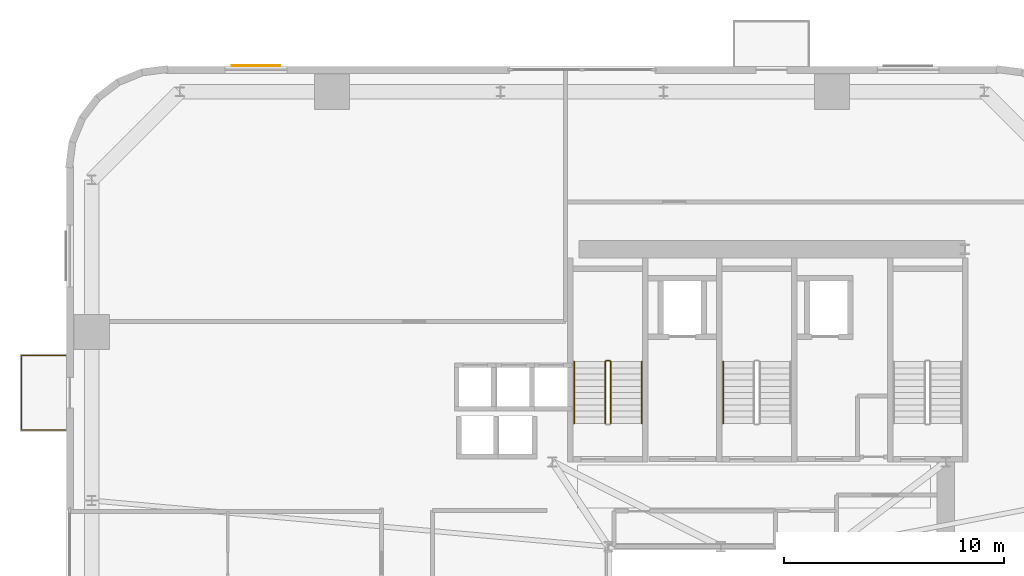
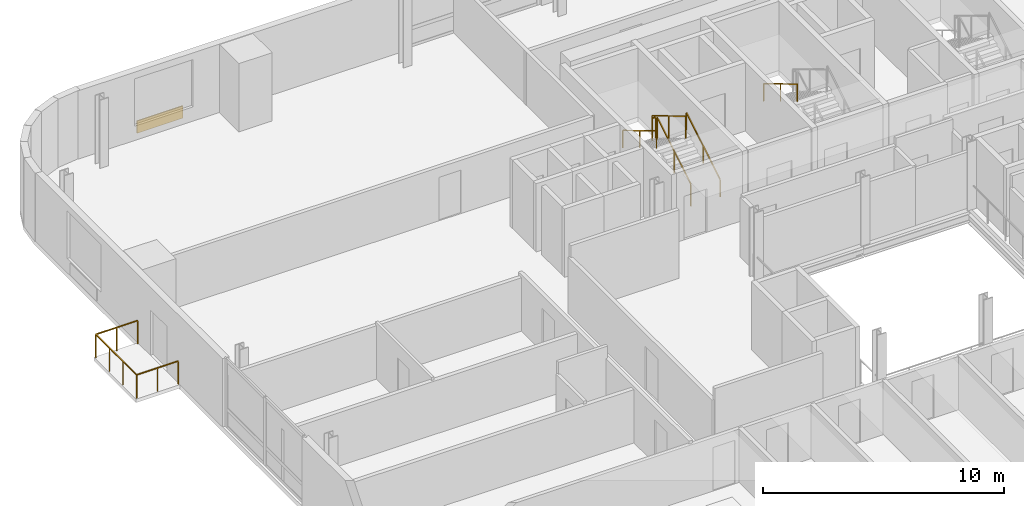
# One storey, part 13 of 14: 7 railings, 1 covering.
"""IFC4 building model written with IfcOpenShell, lengths in metres."""

from ifc_helpers import new_model, si_unit, direction, frame, origin, origin_2d, place, context, subcontext, project, spatial, rectangle, extrude, source, transform, mapped, material, layer, layer_set, type_object, element, save


model = new_model("IFC4")

# Units and contexts
model_context = context("Model", 3, precision=1e-05, world=origin(), true_north=direction((0.0, 1.0)))
body_context = subcontext(model_context, "Body", "Model", "MODEL_VIEW")
ifc_project = project(units=[si_unit("LENGTHUNIT", "METRE"), si_unit("AREAUNIT", "SQUARE_METRE"), si_unit("VOLUMEUNIT", "CUBIC_METRE"), si_unit("PLANEANGLEUNIT", "RADIAN"), si_unit("MASSUNIT", "GRAM", prefix="KILO")], contexts=[model_context])

# Site, building, storey
site_placement = place(None, origin())
site = spatial("IfcSite", under=ifc_project, at=site_placement, CompositionType="ELEMENT")
building_placement = place(site_placement, origin())
building = spatial("IfcBuilding", under=site, at=building_placement, Name="Vardaveli Station Tower", CompositionType="ELEMENT")
storey_placement = place(building_placement, frame((0.0, 0.0, 140.89990234375)))
storey = spatial("IfcBuildingStorey", under=building, at=storey_placement, Name="L36", CompositionType="ELEMENT", Elevation=140.89990234375)

# Covering
ifc_material_1 = material(Name="Ventilated honed travertine stone cladding", Category="masonry")
ifc_layer = layer(ifc_material_1, 0.044921875, Name="Ventilated honed travertine stone cladding")
ifc_layer_set = layer_set([ifc_layer], Name="Ventilated honed travertine stone cladding")
covering_type = type_object("IfcCoveringType", Name="COV-CLAD-TR45", PredefinedType="CLADDING", material=ifc_layer_set)
shared_shape_1 = source(origin(), body_context, "Body", "SweptSolid", [
    extrude(rectangle(XDim=2.199951171875, YDim=0.044921875, at=origin_2d()), origin(), (0.0, 0.0, 1.0), 0.6201171875),
])
covering_placement = place(storey_placement, frame((15.205078125, 48.614501953125, 0.070068359375), z_axis=(0.0, 0.0, 1.0), x_axis=(1.0, 0.0, 0.0)))
element("IfcCovering", 1, at=covering_placement, inside=storey, type_object=covering_type, Name="CLD-TR-L36-N", PredefinedType="CLADDING", context=body_context, shape_type="MappedRepresentation", body=[
    mapped(shared_shape_1, transform((0.0, 0.0, 0.0), scale=1.0)),
])

# Railings
ifc_material_2 = material(Name="Laminated glass and stainless steel balustrade", Category="steel")
railing_type_1 = type_object("IfcRailingType", Name="RL-BAL-1200", PredefinedType="BALUSTRADE", material=ifc_material_2)
shared_shape_2 = source(origin(), body_context, "Body", "SweptSolid", [
    extrude(rectangle(XDim=0.048095703125, YDim=0.048095703125, at=origin_2d()), frame((0.0, 0.0, 1.17578125), z_axis=(-1.0, 0.0, 0.0), x_axis=(0.0, -1.0, 0.0)), (0.0, 0.0, 1.0), 2.0),
    extrude(rectangle(XDim=0.048095703125, YDim=0.048095703125, at=origin_2d()), frame((-2.0, 0.0, 1.17578125), z_axis=(0.0, 1.0, 0.0), x_axis=(-1.0, 0.0, 0.0)), (0.0, 0.0, 1.0), 3.3798828125),
    extrude(rectangle(XDim=0.048095703125, YDim=0.048095703125, at=origin_2d()), frame((-2.0, 3.3798828125, 1.17578125), z_axis=(1.0, 0.0, 0.0), x_axis=(0.0, 1.0, 0.0)), (0.0, 0.0, 1.0), 2.0),
    extrude(rectangle(XDim=0.0419921875, YDim=0.0419921875, at=origin_2d()), origin(), (0.0, 0.0, 1.0), 1.15185546875),
    extrude(rectangle(XDim=0.0419921875, YDim=0.0419921875, at=origin_2d()), frame((-1.0, 0.0, 0.0)), (0.0, 0.0, 1.0), 1.15185546875),
    extrude(rectangle(XDim=0.0419921875, YDim=0.0419921875, at=origin_2d()), frame((-2.0, 0.0, 0.0)), (0.0, 0.0, 1.0), 1.15185546875),
    extrude(rectangle(XDim=0.0419921875, YDim=0.0419921875, at=origin_2d()), frame((-2.0, 1.126708984375, 0.0)), (0.0, 0.0, 1.0), 1.15185546875),
    extrude(rectangle(XDim=0.0419921875, YDim=0.0419921875, at=origin_2d()), frame((-2.0, 2.253173828125, 0.0)), (0.0, 0.0, 1.0), 1.15185546875),
    extrude(rectangle(XDim=0.0419921875, YDim=0.0419921875, at=origin_2d()), frame((-2.0, 3.3798828125, 0.0)), (0.0, 0.0, 1.0), 1.15185546875),
    extrude(rectangle(XDim=0.0419921875, YDim=0.0419921875, at=origin_2d()), frame((-1.0, 3.3798828125, 0.0)), (0.0, 0.0, 1.0), 1.15185546875),
    extrude(rectangle(XDim=0.0419921875, YDim=0.0419921875, at=origin_2d()), frame((0.0, 3.3798828125, 0.0)), (0.0, 0.0, 1.0), 1.15185546875),
])
railing_1_placement = place(storey_placement, frame((6.56005859375, 32.099609375, 0.0)))
element("IfcRailing", 2, at=railing_1_placement, inside=storey, type_object=railing_type_1, Name="RL-LOG-L36-03", PredefinedType="BALUSTRADE", context=body_context, shape_type="MappedRepresentation", body=[
    mapped(shared_shape_2, transform((0.0, 0.0, 0.0), scale=1.0)),
])
ifc_material_3 = material(Name="Brushed AISI 316 stainless steel", Category="steel")
railing_type_2 = type_object("IfcRailingType", Name="RL-GUARD-1150", PredefinedType="GUARDRAIL", material=ifc_material_3)
shared_shape_3 = source(origin(), body_context, "Body", "SweptSolid", [
    extrude(rectangle(XDim=0.048095703125, YDim=0.048095703125, at=origin_2d()), frame((0.0, 0.0, 1.1259765625), z_axis=(-1.0, 0.0, 0.0), x_axis=(0.0, -1.0, 0.0)), (0.0, 0.0, 1.0), 0.14990234375),
    extrude(rectangle(XDim=0.0419921875, YDim=0.0419921875, at=origin_2d()), origin(), (0.0, 0.0, 1.0), 1.101806640625),
    extrude(rectangle(XDim=0.0419921875, YDim=0.0419921875, at=origin_2d()), frame((-0.14990234375, 0.0, 0.0)), (0.0, 0.0, 1.0), 1.101806640625),
])
railing_2_placement = place(storey_placement, frame((31.25, 35.25, 1.85009765625)))
element("IfcRailing", 3, at=railing_2_placement, inside=storey, type_object=railing_type_2, Name="L36 ST-1 stair guard 2", PredefinedType="GUARDRAIL", context=body_context, shape_type="MappedRepresentation", body=[
    mapped(shared_shape_3, transform((0.0, 0.0, 0.0), scale=1.0)),
])
shared_shape_4 = source(origin(), body_context, "Body", "SweptSolid", [
    extrude(rectangle(XDim=0.048095703125, YDim=0.048095703125, at=origin_2d()), frame((0.0, 0.0, 1.1259765625), z_axis=(0.0, -0.857242210791, 0.514913383045), x_axis=(1.0, 0.0, 0.0)), (0.0, 0.0, 1.0), 3.266357421875),
    extrude(rectangle(XDim=0.0419921875, YDim=0.0419921875, at=origin_2d()), origin(), (0.0, 0.0, 1.0), 1.101806640625),
    extrude(rectangle(XDim=0.0419921875, YDim=0.0419921875, at=origin_2d()), frame((0.0, -1.39990234375, 0.8408203125)), (0.0, 0.0, 1.0), 1.101806640625),
    extrude(rectangle(XDim=0.0419921875, YDim=0.0419921875, at=origin_2d()), frame((0.0, -2.800048828125, 1.681884765625)), (0.0, 0.0, 1.0), 1.101806640625),
])
railing_3_placement = place(storey_placement, frame((31.050048828125, 35.199951171875, 2.018310546875)))
element("IfcRailing", 4, at=railing_3_placement, inside=storey, type_object=railing_type_2, Name="L36 ST-1 stair guard 3", PredefinedType="GUARDRAIL", context=body_context, shape_type="MappedRepresentation", body=[
    mapped(shared_shape_4, transform((0.0, 0.0, 0.0), scale=1.0)),
])
railing_type_3 = type_object("IfcRailingType", Name="RL-HAND-900", PredefinedType="HANDRAIL", material=ifc_material_3)
shared_shape_5 = source(origin(), body_context, "Body", "SweptSolid", [
    extrude(rectangle(XDim=0.048095703125, YDim=0.048095703125, at=origin_2d()), frame((0.0, 0.0, 0.8759765625), z_axis=(0.0, -0.857242210791, 0.514913383045), x_axis=(1.0, 0.0, 0.0)), (0.0, 0.0, 1.0), 3.266357421875),
    extrude(rectangle(XDim=0.0419921875, YDim=0.0419921875, at=origin_2d()), origin(), (0.0, 0.0, 1.0), 0.851806640625),
    extrude(rectangle(XDim=0.0419921875, YDim=0.0419921875, at=origin_2d()), frame((0.0, -1.39990234375, 0.8408203125)), (0.0, 0.0, 1.0), 0.851806640625),
    extrude(rectangle(XDim=0.0419921875, YDim=0.0419921875, at=origin_2d()), frame((0.0, -2.800048828125, 1.681884765625)), (0.0, 0.0, 1.0), 0.851806640625),
])
for number, where, name in (
    (5, (29.64990234375, 35.199951171875, 2.018310546875), "L36 ST-1 stair handrail 2"),
    (6, (36.39990234375, 35.199951171875, 2.018310546875), "L36 ST-2 stair handrail 2"),
):
    element("IfcRailing", number, at=place(storey_placement, frame(where)), inside=storey, type_object=railing_type_3, Name=name, PredefinedType="HANDRAIL", context=body_context, shape_type="MappedRepresentation", body=[
        mapped(shared_shape_5, transform((0.0, 0.0, 0.0), scale=1.0)),
    ])
shared_shape_6 = source(origin(), body_context, "Body", "SweptSolid", [
    extrude(rectangle(XDim=0.048095703125, YDim=0.048095703125, at=origin_2d()), frame((0.0, 0.0, 1.1259765625), z_axis=(0.0, 0.857242210791, 0.514913383045), x_axis=(-1.0, 0.0, 0.0)), (0.0, 0.0, 1.0), 3.266357421875),
    extrude(rectangle(XDim=0.0419921875, YDim=0.0419921875, at=origin_2d()), origin(), (0.0, 0.0, 1.0), 1.101806640625),
    extrude(rectangle(XDim=0.0419921875, YDim=0.0419921875, at=origin_2d()), frame((0.0, 1.39990234375, 0.8408203125)), (0.0, 0.0, 1.0), 1.101806640625),
    extrude(rectangle(XDim=0.0419921875, YDim=0.0419921875, at=origin_2d()), frame((0.0, 2.800048828125, 1.681884765625)), (0.0, 0.0, 1.0), 1.101806640625),
])
railing_4_placement = place(storey_placement, frame((31.300048828125, 32.39990234375, 0.168212890625)))
element("IfcRailing", 7, at=railing_4_placement, inside=storey, type_object=railing_type_2, Name="L36 ST-1 stair guard 1", PredefinedType="GUARDRAIL", context=body_context, shape_type="MappedRepresentation", body=[
    mapped(shared_shape_6, transform((0.0, 0.0, 0.0), scale=1.0)),
])
shared_shape_7 = source(origin(), body_context, "Body", "SweptSolid", [
    extrude(rectangle(XDim=0.048095703125, YDim=0.048095703125, at=origin_2d()), frame((0.0, 0.0, 0.8759765625), z_axis=(0.0, 0.857242210791, 0.514913383045), x_axis=(-1.0, 0.0, 0.0)), (0.0, 0.0, 1.0), 3.266357421875),
    extrude(rectangle(XDim=0.0419921875, YDim=0.0419921875, at=origin_2d()), origin(), (0.0, 0.0, 1.0), 0.851806640625),
    extrude(rectangle(XDim=0.0419921875, YDim=0.0419921875, at=origin_2d()), frame((0.0, 1.39990234375, 0.8408203125)), (0.0, 0.0, 1.0), 0.851806640625),
    extrude(rectangle(XDim=0.0419921875, YDim=0.0419921875, at=origin_2d()), frame((0.0, 2.800048828125, 1.681884765625)), (0.0, 0.0, 1.0), 0.851806640625),
])
railing_5_placement = place(storey_placement, frame((32.699951171875, 32.39990234375, 0.168212890625)))
element("IfcRailing", 8, at=railing_5_placement, inside=storey, type_object=railing_type_3, Name="L36 ST-1 stair handrail 1", PredefinedType="HANDRAIL", context=body_context, shape_type="MappedRepresentation", body=[
    mapped(shared_shape_7, transform((0.0, 0.0, 0.0), scale=1.0)),
])

save(model, "model.ifc")
